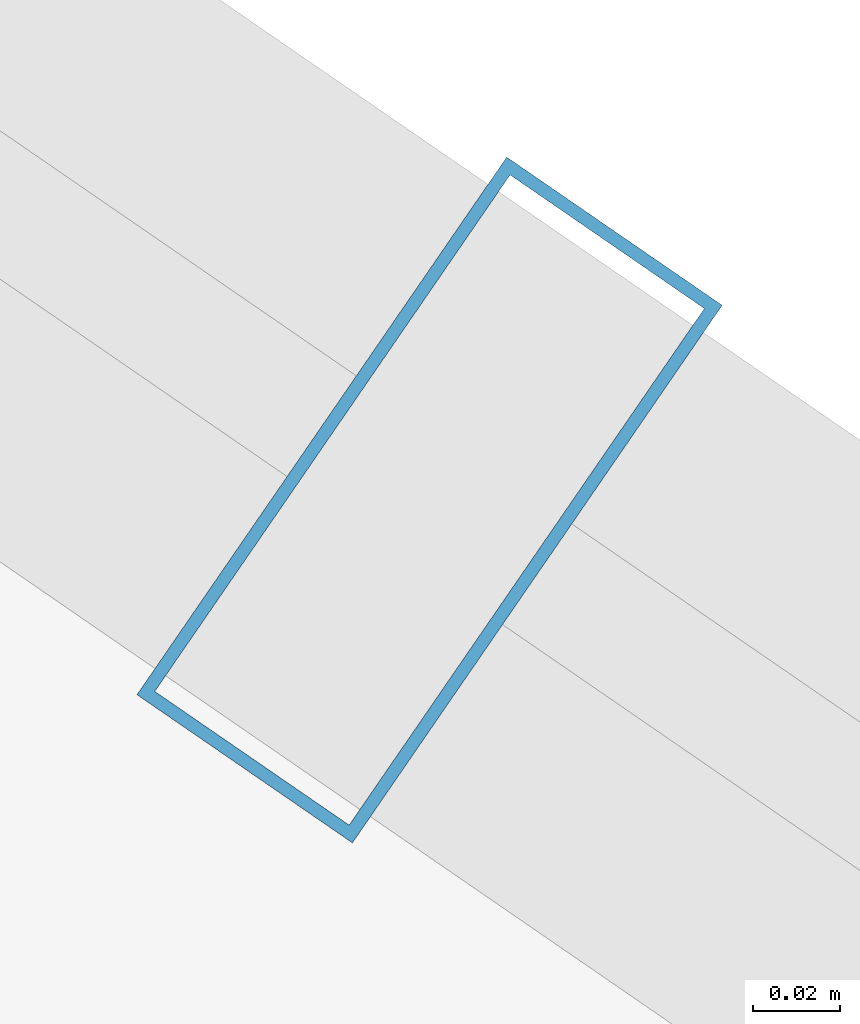
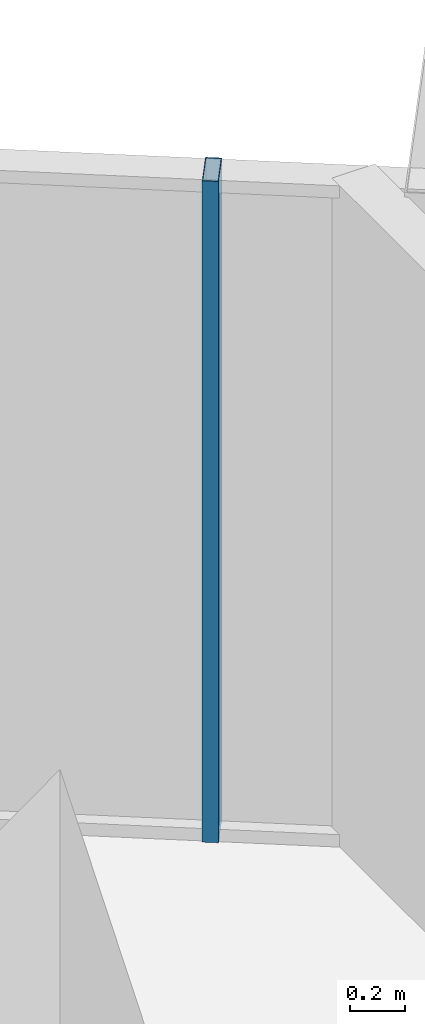
# One storey, part 23 of 29: 1 member, 1 element without a shape of its own.
"""IFC4 building model written with IfcOpenShell, lengths in metres."""

from ifc_helpers import new_model, si_unit, direction, frame, origin, origin_2d, place, context, subcontext, project, spatial, hollow_rectangle, extrude, source, transform, mapped, material, layer, layer_set, material_profile, profile_set, type_object, element, aggregate, save


model = new_model("IFC4")

# Units and contexts
model_context = context("Model", 3, precision=1e-05, world=origin(), true_north=direction((0.0, 1.0)))
body_context = subcontext(model_context, "Body", "Model", "MODEL_VIEW")
ifc_project = project(units=[si_unit("LENGTHUNIT", "METRE"), si_unit("AREAUNIT", "SQUARE_METRE"), si_unit("VOLUMEUNIT", "CUBIC_METRE"), si_unit("PLANEANGLEUNIT", "RADIAN"), si_unit("MASSUNIT", "GRAM", prefix="KILO")], contexts=[model_context])

# Site, building, storey
site_placement = place(None, origin())
site = spatial("IfcSite", under=ifc_project, at=site_placement, CompositionType="ELEMENT")
building_placement = place(site_placement, origin())
building = spatial("IfcBuilding", under=site, at=building_placement, Name="Veraguas Prism Commons", CompositionType="ELEMENT")
storey_placement = place(building_placement, frame((0.0, 0.0, 222.14990234375)))
storey = spatial("IfcBuildingStorey", under=building, at=storey_placement, Name="L63", CompositionType="ELEMENT", Elevation=222.14990234375)

# Curtain wall, member
ifc_material = material(Name="Anodised aluminium EN AW-6063 T6", Category="aluminium")
ifc_layer = layer(ifc_material, 0.14990234375, Name="Unitised Flush Curtain Wall Zone 3", Category="aluminium")
ifc_layer_set = layer_set([ifc_layer], Name="Anodised aluminium EN AW-6063 T6")
curtain_wall_type = type_object("IfcCurtainWallType", Name="Unitised Flush Curtain Wall Zone 3", PredefinedType="NOTDEFINED", material=ifc_layer_set)
curtain_wall_placement = place(storey_placement, origin())
curtain_wall = element("IfcCurtainWall", 1, at=curtain_wall_placement, inside=storey, type_object=curtain_wall_type, Name="Tower Facade Curtain Wall L63-F1", PredefinedType="NOTDEFINED")
ifc_material_profile = material_profile(ifc_material, hollow_rectangle(XDim=0.06005859375, YDim=0.14990234375, WallThickness=0.0029296875, at=origin_2d()), Name="AL60X150X3")
ifc_profile_set = profile_set([ifc_material_profile], Name="Anodised aluminium EN AW-6063 T6")
member_type = type_object("IfcMemberType", Name="Curtain Wall Mullion Upper AL 60x150x3", PredefinedType="MULLION", material=ifc_profile_set)
shared_shape = source(origin(), body_context, "Body", "SweptSolid", [
    extrude(hollow_rectangle(XDim=0.06005859375, YDim=0.14990234375, WallThickness=0.0029296875, at=origin_2d()), origin(), (0.0, 0.0, 1.0), 2.93017578125),
])
member_placement = place(storey_placement, frame((30.7607421875, 40.844970703125, 0.0), z_axis=(0.0, 0.0, 1.0), x_axis=(-0.823926447203, 0.56669675277, 0.0)))
member = element("IfcMember", 2, at=member_placement, type_object=member_type, Name="CW-Z3 Mullion 4", PredefinedType="MULLION", context=body_context, shape_type="MappedRepresentation", body=[
    mapped(shared_shape, transform((0.0, 0.0, 0.0), scale=1.0)),
])
aggregate(curtain_wall, [member])

save(model, "model.ifc")
